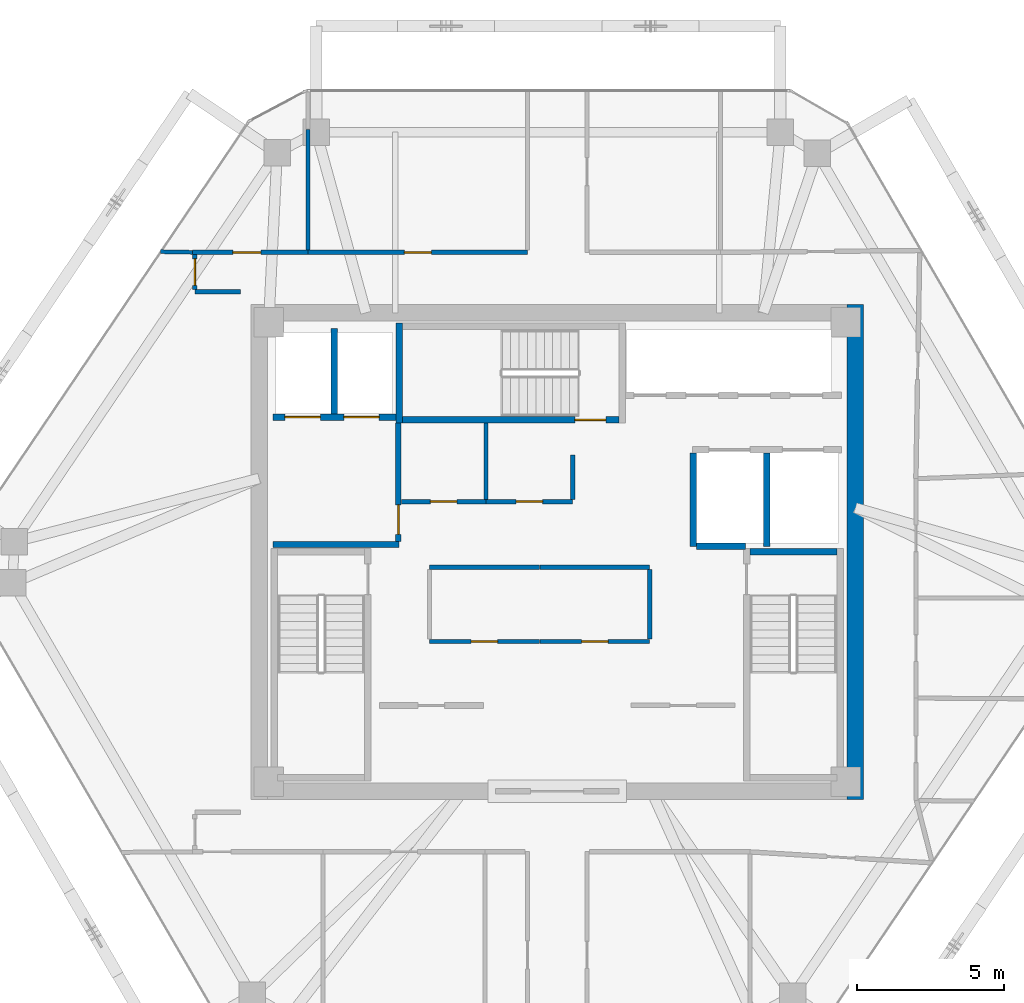
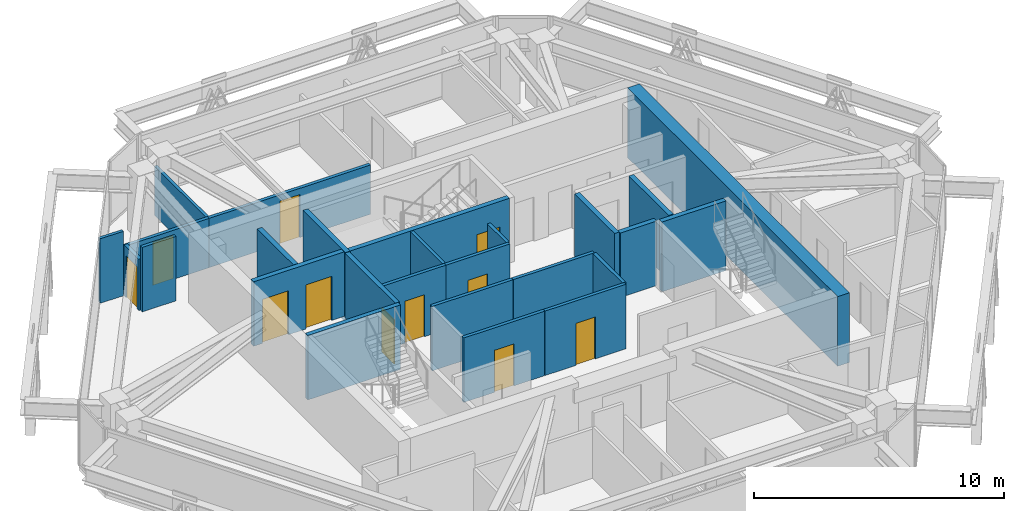
# One storey, part 10 of 13: 26 walls, 11 doors, 11 openings.
"""IFC4 building model written with IfcOpenShell, lengths in metres."""

from ifc_helpers import new_model, si_unit, direction, frame, frame_2d, origin, place, context, subcontext, project, spatial, rectangle, extrude, source, transform, mapped, material, layer, layer_set, type_object, type_shapes, element, fill, save


model = new_model("IFC4")

# Units and contexts
model_context = context("Model", 3, precision=1e-05, world=origin(), true_north=direction((0.0, 1.0)))
body_context = subcontext(model_context, "Body", "Model", "MODEL_VIEW")
ifc_project = project(units=[si_unit("LENGTHUNIT", "METRE"), si_unit("AREAUNIT", "SQUARE_METRE"), si_unit("VOLUMEUNIT", "CUBIC_METRE"), si_unit("PLANEANGLEUNIT", "RADIAN"), si_unit("MASSUNIT", "GRAM", prefix="KILO")], contexts=[model_context])

# Site, building, storey
site_placement = place(None, origin())
site = spatial("IfcSite", under=ifc_project, at=site_placement, CompositionType="ELEMENT")
building_placement = place(site_placement, origin())
building = spatial("IfcBuilding", under=site, at=building_placement, Name="Durnholm Broadcast Tower", CompositionType="ELEMENT")
storey_placement = place(building_placement, frame((0.0, 0.0, 254.699951171875)))
storey = spatial("IfcBuildingStorey", under=building, at=storey_placement, Name="L71", CompositionType="ELEMENT", Elevation=254.699951171875)

# Walls
ifc_material_1 = material(Name="Concrete C70/85", Category="concrete")
ifc_layer_1 = layer(ifc_material_1, 0.550048828125)
ifc_layer_set_1 = layer_set([ifc_layer_1], Name="Concrete C70/85")
wall_type_1 = type_object("IfcWallType", Name="WALL-CW-550", PredefinedType="SHEAR", material=ifc_layer_set_1)
wall_1_placement = place(storey_placement, frame((10.125, -8.39990234375, 0.0), z_axis=(0.0, 0.0, 1.0), x_axis=(0.0, 1.0, 0.0)))
element("IfcWall", 1, at=wall_1_placement, inside=storey, type_object=wall_type_1, Name="L71 central core shear wall CW-EAST", PredefinedType="SHEAR", context=body_context, shape_type="SweptSolid", body=[
    extrude(rectangle(XDim=16.7998046875, YDim=0.550048828125, at=frame_2d((8.39990234375, 0.0))), origin(), (0.0, 0.0, 1.0), 3.400146484375),
])
ifc_material_2 = material(Name="Fire-Rated Gypsum Shaftwall", Category="concrete")
ifc_layer_2 = layer(ifc_material_2, 0.199951171875)
ifc_layer_set_2 = layer_set([ifc_layer_2], Name="Fire-Rated Gypsum Shaftwall")
wall_type_2 = type_object("IfcWallType", Name="WALL-LOB-200", PredefinedType="SOLIDWALL", material=ifc_layer_set_2)
wall_2_placement = place(storey_placement, frame((-9.64990234375, 0.25, 0.0), z_axis=(0.0, 0.0, 1.0), x_axis=(1.0, 0.0, 0.0)))
element("IfcWall", 2, at=wall_2_placement, inside=storey, type_object=wall_type_2, Name="L71 Fire Service Access Elevator lobby south wall", PredefinedType="SOLIDWALL", context=body_context, shape_type="SweptSolid", body=[
    extrude(rectangle(XDim=4.27001953125, YDim=0.199951171875, at=frame_2d((2.135009765625, 0.0))), origin(), (0.0, 0.0, 1.0), 3.14501953125),
])

# Wall, opening, door
wall_3_placement = place(storey_placement, frame((-5.39990234375, 0.35400390625, 0.0), z_axis=(0.0, 0.0, 1.0), x_axis=(0.0, 1.0, 0.0)))
wall_3 = element("IfcWall", 3, at=wall_3_placement, inside=storey, type_object=wall_type_2, Name="L71 Fire Service Access Elevator lobby east fire wall", PredefinedType="SOLIDWALL", context=body_context, shape_type="SweptSolid", body=[
    extrude(rectangle(XDim=4.02587890625, YDim=0.199951171875, at=frame_2d((2.012939453125, 0.0))), origin(), (0.0, 0.0, 1.0), 3.14501953125),
])
opening_1_placement = place(wall_3_placement, frame((0.24609375, 0.0, 0.0)))
opening_1 = element("IfcOpeningElement", 4, at=opening_1_placement, cuts=wall_3, Name="Opening DL-60R", PredefinedType="OPENING", context=body_context, shape_type="SweptSolid", body=[
    extrude(rectangle(XDim=1.0, YDim=2.14990234375, at=frame_2d((0.5, 1.074951171875))), frame((0.0, 0.10986328125, 0.0), z_axis=(0.0, -1.0, 0.0), x_axis=(1.0, 0.0, 0.0)), (0.0, 0.0, 1.0), 0.219970703125),
])
ifc_material_3 = material(Name="Fire-Rated Timber/Steel Door", Category="steel")
ifc_layer_3 = layer(ifc_material_3, 0.050048828125)
ifc_layer_set_3 = layer_set([ifc_layer_3], Name="Fire-Rated Timber/Steel Door")
door_type_1 = type_object("IfcDoorType", Name="DOOR-LOB-FD60-R", OperationType="NOTDEFINED", PredefinedType="DOOR", material=ifc_layer_set_3)
shared_shape_1 = source(origin(), body_context, "Body", "SweptSolid", [
    extrude(rectangle(XDim=1.0, YDim=2.14990234375, at=frame_2d((0.5, 1.074951171875))), frame((0.0, 0.02490234375, 0.0), z_axis=(0.0, -1.0, 0.0), x_axis=(1.0, 0.0, 0.0)), (0.0, 0.0, 1.0), 0.050048828125),
])
type_shapes(door_type_1, [shared_shape_1])
door_1_placement = place(opening_1_placement, origin())
door_1 = element("IfcDoor", 5, at=door_1_placement, inside=storey, type_object=door_type_1, Name="L71 Fire Service Access Elevator lobby smoke door", OperationType="SINGLE_SWING_RIGHT", OverallHeight=2.14990234375, OverallWidth=1.0, PredefinedType="DOOR", context=body_context, shape_type="MappedRepresentation", body=[
    mapped(shared_shape_1, transform((0.0, 0.0, 0.0), x_axis=(1.0, 0.0, 0.0), y_axis=(0.0, 1.0, 0.0), z_axis=(0.0, 0.0, 1.0), scale=1.0)),
])
fill(opening_1, door_1)

# Walls
ifc_material_4 = material(Name="Gypsum Metal Stud Partition", Category="concrete")
ifc_layer_4 = layer(ifc_material_4, 0.135009765625)
ifc_layer_set_4 = layer_set([ifc_layer_4], Name="Gypsum Metal Stud Partition")
wall_type_3 = type_object("IfcWallType", Name="WALL-PART-135", PredefinedType="PARTITIONING", material=ifc_layer_set_4)
wall_4_placement = place(storey_placement, frame((-2.419921875, 4.375, 0.0), z_axis=(0.0, 0.0, 1.0), x_axis=(0.0, -1.0, 0.0)))
element("IfcWall", 6, at=wall_4_placement, inside=storey, type_object=wall_type_3, Name="L71 room dividing partition 5.6", PredefinedType="PARTITIONING", context=body_context, shape_type="SweptSolid", body=[
    extrude(rectangle(XDim=2.5859375, YDim=0.135009765625, at=frame_2d((1.29296875, 0.0))), origin(), (0.0, 0.0, 1.0), 3.14501953125),
])
wall_5_placement = place(storey_placement, frame((-8.4599609375, 14.361083984375, 0.0), z_axis=(0.0, 0.0, 1.0), x_axis=(0.0, -1.0, 0.0)))
element("IfcWall", 7, at=wall_5_placement, inside=storey, type_object=wall_type_3, Name="L71 room dividing partition 10.11", PredefinedType="PARTITIONING", context=body_context, shape_type="SweptSolid", body=[
    extrude(rectangle(XDim=4.10205078125, YDim=0.135009765625, at=frame_2d((2.051025390625, 0.0))), origin(), (0.0, 0.0, 1.0), 2.4013671875),
])
wall_6_placement = place(storey_placement, frame((-12.389892578125, 10.181396484375, 0.0), z_axis=(0.0, 0.0, 1.0), x_axis=(-0.999812128272, 0.019383192748, 0.0)))
element("IfcWall", 8, at=wall_6_placement, inside=storey, type_object=wall_type_3, Name="L71 room dividing partition 10.20", PredefinedType="PARTITIONING", context=body_context, shape_type="SweptSolid", body=[
    extrude(rectangle(XDim=1.083251953125, YDim=0.135009765625, at=frame_2d((0.54150390625, 0.0))), origin(), (0.0, 0.0, 1.0), 3.14501953125),
])

# Wall, opening, door
ifc_material_5 = material(Name="Acoustic Gypsum Stud Partition", Category="concrete")
ifc_layer_5 = layer(ifc_material_5, 0.14990234375)
ifc_layer_set_5 = layer_set([ifc_layer_5], Name="Acoustic Gypsum Stud Partition")
wall_type_4 = type_object("IfcWallType", Name="WALL-PART-150", PredefinedType="PARTITIONING", material=ifc_layer_set_5)
wall_7_placement = place(storey_placement, frame((-0.610107421875, -3.0400390625, 0.0), z_axis=(0.0, 0.0, 1.0), x_axis=(-1.0, 0.0, 0.0)))
wall_7 = element("IfcWall", 9, at=wall_7_placement, inside=storey, type_object=wall_type_4, Name="L71 Digital Tape Archive Store corridor partition", PredefinedType="PARTITIONING", context=body_context, shape_type="SweptSolid", body=[
    extrude(rectangle(XDim=3.72998046875, YDim=0.14990234375, at=frame_2d((1.864990234375, 0.0))), origin(), (0.0, 0.0, 1.0), 3.14501953125),
])
opening_2_placement = place(wall_7_placement, frame((1.4150390625, 0.0, 0.0)))
opening_2 = element("IfcOpeningElement", 10, at=opening_2_placement, cuts=wall_7, Name="Opening DC-60L", PredefinedType="OPENING", context=body_context, shape_type="SweptSolid", body=[
    extrude(rectangle(XDim=0.89990234375, YDim=2.050048828125, at=frame_2d((0.449951171875, 1.02490234375))), frame((0.0, 0.0849609375, 0.0), z_axis=(0.0, -1.0, 0.0), x_axis=(1.0, 0.0, 0.0)), (0.0, 0.0, 1.0), 0.169921875),
])
ifc_material_6 = material(Name="Fire-Rated Core Service Door", Category="steel")
ifc_layer_6 = layer(ifc_material_6, 0.050048828125)
ifc_layer_set_6 = layer_set([ifc_layer_6], Name="Fire-Rated Core Service Door")
door_type_2 = type_object("IfcDoorType", Name="DOOR-CORE-FD60-L", OperationType="NOTDEFINED", PredefinedType="DOOR", material=ifc_layer_set_6)
shared_shape_2 = source(origin(), body_context, "Body", "SweptSolid", [
    extrude(rectangle(XDim=0.89990234375, YDim=2.050048828125, at=frame_2d((0.449951171875, 1.02490234375))), frame((0.0, 0.02490234375, 0.0), z_axis=(0.0, -1.0, 0.0), x_axis=(1.0, 0.0, 0.0)), (0.0, 0.0, 1.0), 0.050048828125),
])
type_shapes(door_type_2, [shared_shape_2])
door_2_placement = place(opening_2_placement, origin())
door_2 = element("IfcDoor", 11, at=door_2_placement, inside=storey, type_object=door_type_2, Name="L71 Digital Tape Archive Store entrance door", OperationType="SINGLE_SWING_LEFT", OverallHeight=2.050048828125, OverallWidth=0.89990234375, PredefinedType="DOOR", context=body_context, shape_type="MappedRepresentation", body=[
    mapped(shared_shape_2, transform((0.0, 0.0, 0.0), x_axis=(1.0, 0.0, 0.0), y_axis=(0.0, 1.0, 0.0), z_axis=(0.0, 0.0, 1.0), scale=1.0)),
])
fill(opening_2, door_2)

# Wall
wall_8_placement = place(storey_placement, frame((-4.340087890625, -0.510009765625, 0.0), z_axis=(0.0, 0.0, 1.0), x_axis=(1.0, 0.0, 0.0)))
element("IfcWall", 12, at=wall_8_placement, inside=storey, type_object=wall_type_4, Name="L71 Digital Tape Archive Store corridor partition", PredefinedType="PARTITIONING", context=body_context, shape_type="SweptSolid", body=[
    extrude(rectangle(XDim=3.72998046875, YDim=0.14990234375, at=frame_2d((1.864990234375, 0.0))), origin(), (0.0, 0.0, 1.0), 3.14501953125),
])

# Wall, opening, door
wall_9_placement = place(storey_placement, frame((3.139892578125, -3.0400390625, 0.0), z_axis=(0.0, 0.0, 1.0), x_axis=(-1.0, 0.0, 0.0)))
wall_9 = element("IfcWall", 13, at=wall_9_placement, inside=storey, type_object=wall_type_4, Name="L71 High-Rise Refreshment Pantry corridor partition", PredefinedType="PARTITIONING", context=body_context, shape_type="SweptSolid", body=[
    extrude(rectangle(XDim=3.72998046875, YDim=0.14990234375, at=frame_2d((1.864990234375, 0.0))), origin(), (0.0, 0.0, 1.0), 3.14501953125),
])
opening_3_placement = place(wall_9_placement, frame((1.4150390625, 0.0, 0.0)))
opening_3 = element("IfcOpeningElement", 14, at=opening_3_placement, cuts=wall_9, Name="Opening DC-60R", PredefinedType="OPENING", context=body_context, shape_type="SweptSolid", body=[
    extrude(rectangle(XDim=0.89990234375, YDim=2.050048828125, at=frame_2d((0.449951171875, 1.02490234375))), frame((0.0, 0.0849609375, 0.0), z_axis=(0.0, -1.0, 0.0), x_axis=(1.0, 0.0, 0.0)), (0.0, 0.0, 1.0), 0.169921875),
])
ifc_layer_7 = layer(ifc_material_6, 0.050048828125)
ifc_layer_set_7 = layer_set([ifc_layer_7], Name="Fire-Rated Core Service Door")
door_type_3 = type_object("IfcDoorType", Name="DOOR-CORE-FD60-R", OperationType="NOTDEFINED", PredefinedType="DOOR", material=ifc_layer_set_7)
shared_shape_3 = source(origin(), body_context, "Body", "SweptSolid", [
    extrude(rectangle(XDim=0.89990234375, YDim=2.050048828125, at=frame_2d((0.449951171875, 1.02490234375))), frame((0.0, 0.02490234375, 0.0), z_axis=(0.0, -1.0, 0.0), x_axis=(1.0, 0.0, 0.0)), (0.0, 0.0, 1.0), 0.050048828125),
])
type_shapes(door_type_3, [shared_shape_3])
door_3_placement = place(opening_3_placement, origin())
door_3 = element("IfcDoor", 15, at=door_3_placement, inside=storey, type_object=door_type_3, Name="L71 High-Rise Refreshment Pantry entrance door", OperationType="SINGLE_SWING_RIGHT", OverallHeight=2.050048828125, OverallWidth=0.89990234375, PredefinedType="DOOR", context=body_context, shape_type="MappedRepresentation", body=[
    mapped(shared_shape_3, transform((0.0, 0.0, 0.0), x_axis=(1.0, 0.0, 0.0), y_axis=(0.0, 1.0, 0.0), z_axis=(0.0, 0.0, 1.0), scale=1.0)),
])
fill(opening_3, door_3)

# Walls
wall_10_placement = place(storey_placement, frame((-0.590087890625, -0.510009765625, 0.0), z_axis=(0.0, 0.0, 1.0), x_axis=(1.0, 0.0, 0.0)))
element("IfcWall", 16, at=wall_10_placement, inside=storey, type_object=wall_type_4, Name="L71 High-Rise Refreshment Pantry corridor partition", PredefinedType="PARTITIONING", context=body_context, shape_type="SweptSolid", body=[
    extrude(rectangle(XDim=3.72998046875, YDim=0.14990234375, at=frame_2d((1.864990234375, 0.0))), origin(), (0.0, 0.0, 1.0), 3.14501953125),
])
wall_11_placement = place(storey_placement, frame((3.139892578125, -0.589111328125, 0.0), z_axis=(0.0, 0.0, 1.0), x_axis=(0.0, -1.0, 0.0)))
element("IfcWall", 17, at=wall_11_placement, inside=storey, type_object=wall_type_4, Name="L71 High-Rise Refreshment Pantry corridor partition", PredefinedType="PARTITIONING", context=body_context, shape_type="SweptSolid", body=[
    extrude(rectangle(XDim=2.371826171875, YDim=0.14990234375, at=frame_2d((1.18603515625, 0.0))), origin(), (0.0, 0.0, 1.0), 3.14501953125),
])

# Wall, opening, door
wall_12_placement = place(storey_placement, frame((-2.419921875, 1.7099609375, 0.0), z_axis=(0.0, 0.0, 1.0), x_axis=(-1.0, 0.0, 0.0)))
wall_12 = element("IfcWall", 18, at=wall_12_placement, inside=storey, type_object=wall_type_4, Name="L71 Core Equipment Store corridor partition", PredefinedType="PARTITIONING", context=body_context, shape_type="SweptSolid", body=[
    extrude(rectangle(XDim=2.8759765625, YDim=0.14990234375, at=frame_2d((1.43798828125, 0.0))), origin(), (0.0, 0.0, 1.0), 3.14501953125),
])
opening_4_placement = place(wall_12_placement, frame((0.988037109375, 0.0, 0.0)))
opening_4 = element("IfcOpeningElement", 19, at=opening_4_placement, cuts=wall_12, Name="Opening DC-60L", PredefinedType="OPENING", context=body_context, shape_type="SweptSolid", body=[
    extrude(rectangle(XDim=0.89990234375, YDim=2.050048828125, at=frame_2d((0.449951171875, 1.02490234375))), frame((0.0, 0.0849609375, 0.0), z_axis=(0.0, -1.0, 0.0), x_axis=(1.0, 0.0, 0.0)), (0.0, 0.0, 1.0), 0.169921875),
])
door_4_placement = place(opening_4_placement, origin())
door_4 = element("IfcDoor", 20, at=door_4_placement, inside=storey, type_object=door_type_2, Name="L71 Core Equipment Store entrance door", OperationType="SINGLE_SWING_LEFT", OverallHeight=2.050048828125, OverallWidth=0.89990234375, PredefinedType="DOOR", context=body_context, shape_type="MappedRepresentation", body=[
    mapped(shared_shape_2, transform((0.0, 0.0, 0.0), x_axis=(1.0, 0.0, 0.0), y_axis=(0.0, 1.0, 0.0), z_axis=(0.0, 0.0, 1.0), scale=1.0)),
])
fill(opening_4, door_4)

wall_13_placement = place(storey_placement, frame((0.52001953125, 1.7099609375, 0.0), z_axis=(0.0, 0.0, 1.0), x_axis=(-1.0, 0.0, 0.0)))
wall_13 = element("IfcWall", 21, at=wall_13_placement, inside=storey, type_object=wall_type_4, Name="L71 Core Mail and Supply Room corridor partition", PredefinedType="PARTITIONING", context=body_context, shape_type="SweptSolid", body=[
    extrude(rectangle(XDim=2.93994140625, YDim=0.14990234375, at=frame_2d((1.469970703125, 0.0))), origin(), (0.0, 0.0, 1.0), 3.14501953125),
])
opening_5_placement = place(wall_13_placement, frame((1.02001953125, 0.0, 0.0)))
opening_5 = element("IfcOpeningElement", 22, at=opening_5_placement, cuts=wall_13, Name="Opening DC-60R", PredefinedType="OPENING", context=body_context, shape_type="SweptSolid", body=[
    extrude(rectangle(XDim=0.89990234375, YDim=2.050048828125, at=frame_2d((0.449951171875, 1.02490234375))), frame((0.0, 0.0849609375, 0.0), z_axis=(0.0, -1.0, 0.0), x_axis=(1.0, 0.0, 0.0)), (0.0, 0.0, 1.0), 0.169921875),
])
door_5_placement = place(opening_5_placement, origin())
door_5 = element("IfcDoor", 23, at=door_5_placement, inside=storey, type_object=door_type_3, Name="L71 Core Mail and Supply Room entrance door", OperationType="SINGLE_SWING_RIGHT", OverallHeight=2.050048828125, OverallWidth=0.89990234375, PredefinedType="DOOR", context=body_context, shape_type="MappedRepresentation", body=[
    mapped(shared_shape_3, transform((0.0, 0.0, 0.0), x_axis=(1.0, 0.0, 0.0), y_axis=(0.0, 1.0, 0.0), z_axis=(0.0, 0.0, 1.0), scale=1.0)),
])
fill(opening_5, door_5)

# Wall
wall_14_placement = place(storey_placement, frame((0.52001953125, 3.300048828125, 0.0), z_axis=(0.0, 0.0, 1.0), x_axis=(0.0, -1.0, 0.0)))
element("IfcWall", 24, at=wall_14_placement, inside=storey, type_object=wall_type_4, Name="L71 Core Mail and Supply Room corridor partition", PredefinedType="PARTITIONING", context=body_context, shape_type="SweptSolid", body=[
    extrude(rectangle(XDim=1.510986328125, YDim=0.14990234375, at=frame_2d((0.75537109375, 0.0))), origin(), (0.0, 0.0, 1.0), 3.14501953125),
])

# Wall, opening, door
wall_15_placement = place(storey_placement, frame((-8.4599609375, 10.179931640625, 0.0), z_axis=(0.0, 0.0, 1.0), x_axis=(-1.0, 0.0, 0.0)))
wall_15 = element("IfcWall", 25, at=wall_15_placement, inside=storey, type_object=wall_type_4, Name="L71 Fellows Meeting Room 1 corridor partition", PredefinedType="PARTITIONING", context=body_context, shape_type="SweptSolid", body=[
    extrude(rectangle(XDim=3.929931640625, YDim=0.14990234375, at=frame_2d((1.96484375, 0.0))), origin(), (0.0, 0.0, 1.0), 2.4013671875),
])
opening_6_placement = place(wall_15_placement, frame((1.610107421875, 0.0, 0.0)))
opening_6 = element("IfcOpeningElement", 26, at=opening_6_placement, cuts=wall_15, Name="Opening DR-95R", PredefinedType="OPENING", context=body_context, shape_type="SweptSolid", body=[
    extrude(rectangle(XDim=0.949951171875, YDim=2.10009765625, at=frame_2d((0.47509765625, 1.050048828125))), frame((0.0, 0.0849609375, 0.0), z_axis=(0.0, -1.0, 0.0), x_axis=(1.0, 0.0, 0.0)), (0.0, 0.0, 1.0), 0.169921875),
])
ifc_material_7 = material(Name="Acoustic Oak Veneer Timber Door", Category="wood")
ifc_layer_8 = layer(ifc_material_7, 0.050048828125)
ifc_layer_set_8 = layer_set([ifc_layer_8], Name="Acoustic Oak Veneer Timber Door")
door_type_4 = type_object("IfcDoorType", Name="DOOR-RM-950R", OperationType="NOTDEFINED", PredefinedType="DOOR", material=ifc_layer_set_8)
shared_shape_4 = source(origin(), body_context, "Body", "SweptSolid", [
    extrude(rectangle(XDim=0.949951171875, YDim=2.10009765625, at=frame_2d((0.47509765625, 1.050048828125))), frame((0.0, 0.02490234375, 0.0), z_axis=(0.0, -1.0, 0.0), x_axis=(1.0, 0.0, 0.0)), (0.0, 0.0, 1.0), 0.050048828125),
])
type_shapes(door_type_4, [shared_shape_4])
door_6_placement = place(opening_6_placement, origin())
door_6 = element("IfcDoor", 27, at=door_6_placement, inside=storey, type_object=door_type_4, Name="L71 Fellows Meeting Room 1 entrance door", OperationType="SINGLE_SWING_RIGHT", OverallHeight=2.10009765625, OverallWidth=0.949951171875, PredefinedType="DOOR", context=body_context, shape_type="MappedRepresentation", body=[
    mapped(shared_shape_4, transform((0.0, 0.0, 0.0), x_axis=(1.0, 0.0, 0.0), y_axis=(0.0, 1.0, 0.0), z_axis=(0.0, 0.0, 1.0), scale=1.0)),
])
fill(opening_6, door_6)

wall_16_placement = place(storey_placement, frame((-1.010009765625, 10.179931640625, 0.0), z_axis=(0.0, 0.0, 1.0), x_axis=(-1.0, 0.0, 0.0)))
wall_16 = element("IfcWall", 28, at=wall_16_placement, inside=storey, type_object=wall_type_4, Name="L71 Fellows Meeting Room 2 corridor partition", PredefinedType="PARTITIONING", context=body_context, shape_type="SweptSolid", body=[
    extrude(rectangle(XDim=7.449951171875, YDim=0.14990234375, at=frame_2d((3.72509765625, 0.0))), origin(), (0.0, 0.0, 1.0), 2.4013671875),
])
opening_7_placement = place(wall_16_placement, frame((3.264892578125, 0.0, 0.0)))
opening_7 = element("IfcOpeningElement", 29, at=opening_7_placement, cuts=wall_16, Name="Opening DR-92L", PredefinedType="OPENING", context=body_context, shape_type="SweptSolid", body=[
    extrude(rectangle(XDim=0.919921875, YDim=2.10009765625, at=frame_2d((0.4599609375, 1.050048828125))), frame((0.0, 0.0849609375, 0.0), z_axis=(0.0, -1.0, 0.0), x_axis=(1.0, 0.0, 0.0)), (0.0, 0.0, 1.0), 0.169921875),
])
ifc_material_8 = material(Name="Oak Veneer Office Door", Category="wood")
ifc_layer_9 = layer(ifc_material_8, 0.050048828125)
ifc_layer_set_9 = layer_set([ifc_layer_9], Name="Oak Veneer Office Door")
door_type_5 = type_object("IfcDoorType", Name="DOOR-RM-920L", OperationType="NOTDEFINED", PredefinedType="DOOR", material=ifc_layer_set_9)
shared_shape_5 = source(origin(), body_context, "Body", "SweptSolid", [
    extrude(rectangle(XDim=0.919921875, YDim=2.10009765625, at=frame_2d((0.4599609375, 1.050048828125))), frame((0.0, 0.02490234375, 0.0), z_axis=(0.0, -1.0, 0.0), x_axis=(1.0, 0.0, 0.0)), (0.0, 0.0, 1.0), 0.050048828125),
])
type_shapes(door_type_5, [shared_shape_5])
door_7_placement = place(opening_7_placement, origin())
door_7 = element("IfcDoor", 30, at=door_7_placement, inside=storey, type_object=door_type_5, Name="L71 Fellows Meeting Room 2 entrance door", OperationType="SINGLE_SWING_LEFT", OverallHeight=2.10009765625, OverallWidth=0.919921875, PredefinedType="DOOR", context=body_context, shape_type="MappedRepresentation", body=[
    mapped(shared_shape_5, transform((0.0, 0.0, 0.0), x_axis=(1.0, 0.0, 0.0), y_axis=(0.0, 1.0, 0.0), z_axis=(0.0, 0.0, 1.0), scale=1.0)),
])
fill(opening_7, door_7)

# Wall
wall_17_placement = place(storey_placement, frame((-12.31005859375, 8.840087890625, 0.0), z_axis=(0.0, 0.0, 1.0), x_axis=(1.0, 0.0, 0.0)))
element("IfcWall", 31, at=wall_17_placement, inside=storey, type_object=wall_type_4, Name="L71 Endowment Lecture Auditorium corridor partition", PredefinedType="PARTITIONING", context=body_context, shape_type="SweptSolid", body=[
    extrude(rectangle(XDim=1.550048828125, YDim=0.14990234375, at=frame_2d((0.77490234375, 0.0))), origin(), (0.0, 0.0, 1.0), 3.14501953125),
])

# Wall, opening, door
wall_18_placement = place(storey_placement, frame((-12.31005859375, 10.10107421875, 0.0), z_axis=(0.0, 0.0, 1.0), x_axis=(0.0, -1.0, 0.0)))
wall_18 = element("IfcWall", 32, at=wall_18_placement, inside=storey, type_object=wall_type_4, Name="L71 Endowment Lecture Auditorium corridor partition", PredefinedType="PARTITIONING", context=body_context, shape_type="SweptSolid", body=[
    extrude(rectangle(XDim=1.18212890625, YDim=0.14990234375, at=frame_2d((0.591064453125, 0.0))), origin(), (0.0, 0.0, 1.0), 2.498779296875),
])
opening_8_placement = place(wall_18_placement, frame((0.14111328125, 0.0, 0.0)))
opening_8 = element("IfcOpeningElement", 33, at=opening_8_placement, cuts=wall_18, Name="Opening DW-90R", PredefinedType="OPENING", context=body_context, shape_type="SweptSolid", body=[
    extrude(rectangle(XDim=0.89990234375, YDim=2.050048828125, at=frame_2d((0.449951171875, 1.02490234375))), frame((0.0, 0.0849609375, 0.0), z_axis=(0.0, -1.0, 0.0), x_axis=(1.0, 0.0, 0.0)), (0.0, 0.0, 1.0), 0.169921875),
])
ifc_material_9 = material(Name="Laminate Restroom Door", Category="steel")
ifc_layer_10 = layer(ifc_material_9, 0.050048828125)
ifc_layer_set_10 = layer_set([ifc_layer_10], Name="Laminate Restroom Door")
door_type_6 = type_object("IfcDoorType", Name="DOOR-WC-900R", OperationType="NOTDEFINED", PredefinedType="DOOR", material=ifc_layer_set_10)
shared_shape_6 = source(origin(), body_context, "Body", "SweptSolid", [
    extrude(rectangle(XDim=0.89990234375, YDim=2.050048828125, at=frame_2d((0.449951171875, 1.02490234375))), frame((0.0, 0.02490234375, 0.0), z_axis=(0.0, -1.0, 0.0), x_axis=(1.0, 0.0, 0.0)), (0.0, 0.0, 1.0), 0.050048828125),
])
type_shapes(door_type_6, [shared_shape_6])
door_8_placement = place(opening_8_placement, origin())
door_8 = element("IfcDoor", 34, at=door_8_placement, inside=storey, type_object=door_type_6, Name="L71 Endowment Lecture Auditorium entrance door", OperationType="SINGLE_SWING_RIGHT", OverallHeight=2.050048828125, OverallWidth=0.89990234375, PredefinedType="DOOR", context=body_context, shape_type="MappedRepresentation", body=[
    mapped(shared_shape_6, transform((0.0, 0.0, 0.0), x_axis=(1.0, 0.0, 0.0), y_axis=(0.0, 1.0, 0.0), z_axis=(0.0, 0.0, 1.0), scale=1.0)),
])
fill(opening_8, door_8)

# Wall, openings, doors
ifc_material_10 = material(Name="Concrete Blockwork C30/37", Category="masonry")
ifc_layer_11 = layer(ifc_material_10, 0.219970703125)
ifc_layer_set_11 = layer_set([ifc_layer_11], Name="Concrete Blockwork C30/37")
wall_type_5 = type_object("IfcWallType", Name="WALL-SHAFT-220", PredefinedType="SOLIDWALL", material=ifc_layer_set_11)
wall_19_placement = place(storey_placement, frame((-9.64990234375, 4.580078125, 0.0), z_axis=(0.0, 0.0, 1.0), x_axis=(1.0, 0.0, 0.0)))
wall_19 = element("IfcWall", 35, at=wall_19_placement, inside=storey, type_object=wall_type_5, Name="L71 FSAE hoistway front fire wall", PredefinedType="SOLIDWALL", context=body_context, shape_type="SweptSolid", body=[
    extrude(rectangle(XDim=4.1748046875, YDim=0.219970703125, at=frame_2d((2.08740234375, 0.0))), origin(), (0.0, 0.0, 1.0), 3.14501953125),
])
opening_9_placement = place(wall_19_placement, frame((0.39990234375, 0.0, 0.0)))
opening_9 = element("IfcOpeningElement", 36, at=opening_9_placement, cuts=wall_19, Name="Opening LD-FSAE-2", PredefinedType="OPENING", context=body_context, shape_type="SweptSolid", body=[
    extrude(rectangle(XDim=1.199951171875, YDim=2.14990234375, at=frame_2d((0.60009765625, 1.074951171875))), frame((0.0, 0.1201171875, 0.0), z_axis=(0.0, -1.0, 0.0), x_axis=(1.0, 0.0, 0.0)), (0.0, 0.0, 1.0), 0.239990234375),
])
opening_10_placement = place(wall_19_placement, frame((2.39990234375, 0.0, 0.0)))
opening_10 = element("IfcOpeningElement", 37, at=opening_10_placement, cuts=wall_19, Name="Opening LD-FSAE-1", PredefinedType="OPENING", context=body_context, shape_type="SweptSolid", body=[
    extrude(rectangle(XDim=1.199951171875, YDim=2.14990234375, at=frame_2d((0.60009765625, 1.074951171875))), frame((0.0, 0.1201171875, 0.0), z_axis=(0.0, -1.0, 0.0), x_axis=(1.0, 0.0, 0.0)), (0.0, 0.0, 1.0), 0.239990234375),
])
ifc_material_11 = material(Name="Fire Service Access Sliding Landing Door", Category="steel")
ifc_layer_12 = layer(ifc_material_11, 0.050048828125)
ifc_layer_set_12 = layer_set([ifc_layer_12], Name="Fire Service Access Sliding Landing Door")
door_type_7 = type_object("IfcDoorType", Name="DOOR-LIFT-FSAE", OperationType="DOUBLE_DOOR_SLIDING", PredefinedType="DOOR", material=ifc_layer_set_12)
shared_shape_7 = source(origin(), body_context, "Body", "SweptSolid", [
    extrude(rectangle(XDim=1.199951171875, YDim=2.14990234375, at=frame_2d((0.60009765625, 1.074951171875))), frame((0.0, 0.02490234375, 0.0), z_axis=(0.0, -1.0, 0.0), x_axis=(1.0, 0.0, 0.0)), (0.0, 0.0, 1.0), 0.050048828125),
])
type_shapes(door_type_7, [shared_shape_7])
door_9_placement = place(opening_9_placement, origin())
door_9 = element("IfcDoor", 38, at=door_9_placement, inside=storey, type_object=door_type_7, Name="L71 Fire Service Access Elevator FSAE-2 sliding landing door", OperationType="DOUBLE_DOOR_SLIDING", OverallHeight=2.14990234375, OverallWidth=1.199951171875, PredefinedType="DOOR", context=body_context, shape_type="MappedRepresentation", body=[
    mapped(shared_shape_7, transform((0.0, 0.0, 0.0), x_axis=(1.0, 0.0, 0.0), y_axis=(0.0, 1.0, 0.0), z_axis=(0.0, 0.0, 1.0), scale=1.0)),
])
fill(opening_9, door_9)
door_10_placement = place(opening_10_placement, origin())
door_10 = element("IfcDoor", 39, at=door_10_placement, inside=storey, type_object=door_type_7, Name="L71 Fire Service Access Elevator FSAE-1 sliding landing door", OperationType="DOUBLE_DOOR_SLIDING", OverallHeight=2.14990234375, OverallWidth=1.199951171875, PredefinedType="DOOR", context=body_context, shape_type="MappedRepresentation", body=[
    mapped(shared_shape_7, transform((0.0, 0.0, 0.0), x_axis=(1.0, 0.0, 0.0), y_axis=(0.0, 1.0, 0.0), z_axis=(0.0, 0.0, 1.0), scale=1.0)),
])
fill(opening_10, door_10)

# Walls
wall_20_placement = place(storey_placement, frame((-7.580078125, 4.694091796875, 0.0), z_axis=(0.0, 0.0, 1.0), x_axis=(0.0, 1.0, 0.0)))
element("IfcWall", 40, at=wall_20_placement, inside=storey, type_object=wall_type_5, Name="L71 FSAE shaft divider wall", PredefinedType="SOLIDWALL", context=body_context, shape_type="SweptSolid", body=[
    extrude(rectangle(XDim=2.906005859375, YDim=0.219970703125, at=frame_2d((1.453125, 0.0))), origin(), (0.0, 0.0, 1.0), 3.14501953125),
])
for number, where, z_axis, x_axis, name in (
    (41, (4.6201171875, 0.179931640625, 0.0), (0.0, 0.0, 1.0), (0.0, 1.0, 0.0), "L71 freight service lift SVL-2 west wall"),
    (42, (7.1201171875, 0.179931640625, 0.0), (0.0, 0.0, 1.0), (0.0, 1.0, 0.0), "L71 freight service lifts divider wall"),
):
    element("IfcWall", number, at=place(storey_placement, frame(where, z_axis=z_axis, x_axis=x_axis)), inside=storey, type_object=wall_type_5, Name=name, PredefinedType="SOLIDWALL", context=body_context, shape_type="SweptSolid", body=[
        extrude(rectangle(XDim=3.18603515625, YDim=0.219970703125, at=frame_2d((1.593017578125, 0.0))), origin(), (0.0, 0.0, 1.0), 3.14501953125),
    ])
wall_21_placement = place(storey_placement, frame((4.73388671875, 0.199951171875, 0.0), z_axis=(0.0, 0.0, 1.0), x_axis=(1.0, 0.0, 0.0)))
element("IfcWall", 43, at=wall_21_placement, inside=storey, type_object=wall_type_5, Name="L71 freight service lift SVL-2 south wall", PredefinedType="SOLIDWALL", context=body_context, shape_type="SweptSolid", body=[
    extrude(rectangle(XDim=1.666015625, YDim=0.219970703125, at=frame_2d((0.8330078125, 0.0))), origin(), (0.0, 0.0, 1.0), 3.14501953125),
])
ifc_material_12 = material(Name="Concrete C50/60", Category="concrete")
ifc_layer_13 = layer(ifc_material_12, 0.219970703125)
ifc_layer_set_13 = layer_set([ifc_layer_13], Name="Concrete C50/60")
wall_type_6 = type_object("IfcWallType", Name="WALL-SW-220", PredefinedType="SHEAR", material=ifc_layer_set_13)
wall_22_placement = place(storey_placement, frame((9.5, 0.010009765625, -0.239990234375), z_axis=(0.0, 0.0, 1.0), x_axis=(-1.0, 0.0, 0.0)))
element("IfcWall", 44, at=wall_22_placement, inside=storey, type_object=wall_type_6, Name="L71 stair ST-2 structural shaft wall N", PredefinedType="SHEAR", context=body_context, shape_type="SweptSolid", body=[
    extrude(rectangle(XDim=2.9599609375, YDim=0.219970703125, at=frame_2d((1.47998046875, 0.0))), origin(), (0.0, 0.0, 1.0), 3.400146484375),
])
wall_23_placement = place(storey_placement, frame((-5.360107421875, 7.780029296875, -0.239990234375), z_axis=(0.0, 0.0, 1.0), x_axis=(0.0, -1.0, 0.0)))
element("IfcWall", 45, at=wall_23_placement, inside=storey, type_object=wall_type_6, Name="L71 stair ST-3 structural shaft wall W", PredefinedType="SHEAR", context=body_context, shape_type="SweptSolid", body=[
    extrude(rectangle(XDim=3.400146484375, YDim=0.219970703125, at=frame_2d((1.7001953125, 0.0))), origin(), (0.0, 0.0, 1.0), 3.400146484375),
])

# Wall, opening, door
wall_24_placement = place(storey_placement, frame((-5.25, 4.489990234375, -0.239990234375), z_axis=(0.0, 0.0, 1.0), x_axis=(1.0, 0.0, 0.0)))
wall_24 = element("IfcWall", 46, at=wall_24_placement, inside=storey, type_object=wall_type_6, Name="L71 stair ST-3 structural shaft wall S", PredefinedType="SHEAR", context=body_context, shape_type="SweptSolid", body=[
    extrude(rectangle(XDim=7.35009765625, YDim=0.219970703125, at=frame_2d((3.675048828125, 0.0))), origin(), (0.0, 0.0, 1.0), 3.400146484375),
])
opening_11_placement = place(wall_24_placement, frame((5.85009765625, 0.0, 0.0)))
opening_11 = element("IfcOpeningElement", 47, at=opening_11_placement, cuts=wall_24, Name="Opening DS-90L", PredefinedType="OPENING", context=body_context, shape_type="SweptSolid", body=[
    extrude(rectangle(XDim=1.050048828125, YDim=2.14990234375, at=frame_2d((0.52490234375, 1.074951171875))), frame((0.0, 0.1201171875, 0.0), z_axis=(0.0, -1.0, 0.0), x_axis=(1.0, 0.0, 0.0)), (0.0, 0.0, 1.0), 0.239990234375),
])
ifc_material_13 = material(Name="Fire-Rated Steel Door", Category="steel")
ifc_layer_14 = layer(ifc_material_13, 0.050048828125)
ifc_layer_set_14 = layer_set([ifc_layer_14], Name="Fire-Rated Steel Door")
door_type_8 = type_object("IfcDoorType", Name="DOOR-ST-FD90-L", OperationType="NOTDEFINED", PredefinedType="DOOR", material=ifc_layer_set_14)
shared_shape_8 = source(origin(), body_context, "Body", "SweptSolid", [
    extrude(rectangle(XDim=1.050048828125, YDim=2.14990234375, at=frame_2d((0.52490234375, 1.074951171875))), frame((0.0, 0.02490234375, 0.0), z_axis=(0.0, -1.0, 0.0), x_axis=(1.0, 0.0, 0.0)), (0.0, 0.0, 1.0), 0.050048828125),
])
type_shapes(door_type_8, [shared_shape_8])
door_11_placement = place(opening_11_placement, origin())
door_11 = element("IfcDoor", 48, at=door_11_placement, inside=storey, type_object=door_type_8, Name="L71 exit stair ST-3 fire door", OperationType="SINGLE_SWING_LEFT", OverallHeight=2.14990234375, OverallWidth=1.050048828125, PredefinedType="DOOR", context=body_context, shape_type="MappedRepresentation", body=[
    mapped(shared_shape_8, transform((0.0, 0.0, 0.0), x_axis=(1.0, 0.0, 0.0), y_axis=(0.0, 1.0, 0.0), z_axis=(0.0, 0.0, 1.0), scale=1.0)),
])
fill(opening_11, door_11)

save(model, "model.ifc")
